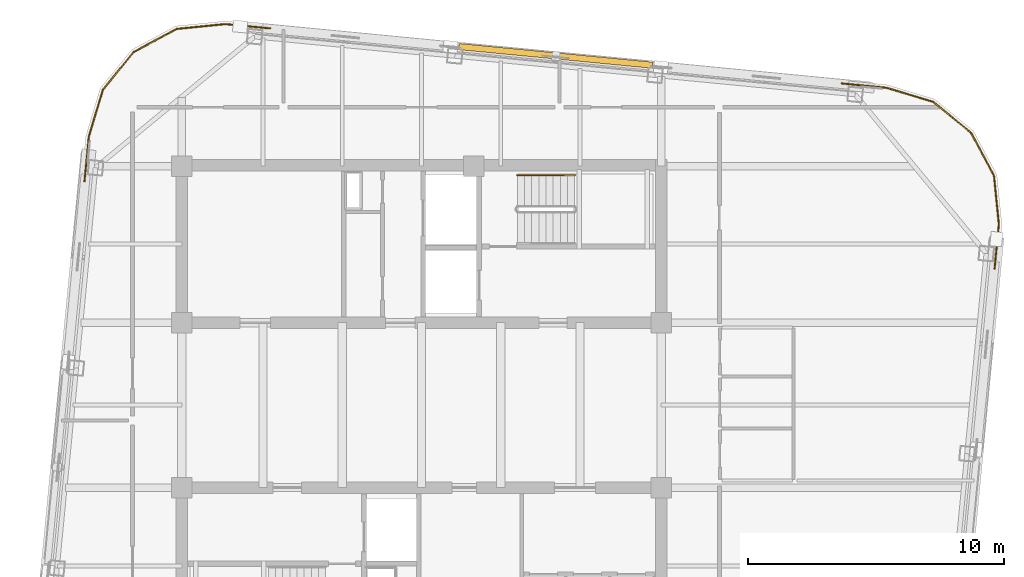
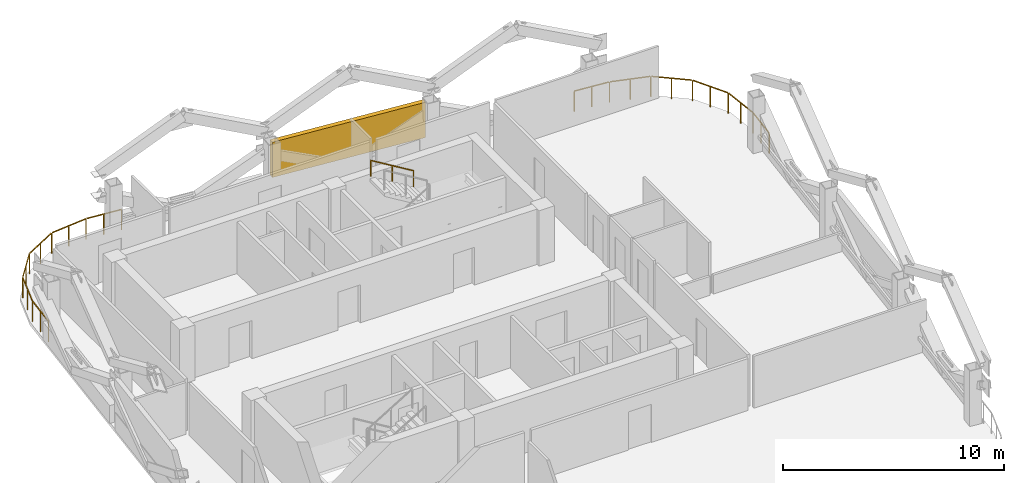
# One storey, part 10 of 10: 3 railings, 1 shading device.
"""IFC4 building model written with IfcOpenShell, lengths in metres."""

import ifcopenshell
import ifcopenshell.guid

model = None  # the IFC model being written
_history = None  # IfcOwnerHistory: only IFC2X3 demands one
_inside = {}  # id of a spatial element -> (the spatial element, [elements in it])
_under = {}  # id of a project, library or spatial element -> (it, [spatial elements below it])
_declared = {}  # id of a project -> (the project, [libraries it declares])
_typed = {}  # id of a type object -> (the type object, [elements of that type])
_made_of = {}  # id of a material, layer set ... -> (it, [elements and type objects made of it])


def new_model(schema):
    """Start an empty IFC model of exactly this schema.

    Asked for "IFC4X3", IfcOpenShell would pick the latest addendum, in which some entities
    have other attributes; the version numbers below select the first issue.
    IFC2X3 requires an IfcOwnerHistory on every rooted entity: one is made here for all.
    """
    global model, _history
    if schema == "IFC4X3":
        model = ifcopenshell.file(schema_version=(4, 3, 0, 0))
    else:
        model = ifcopenshell.file(schema=schema)
    _inside.clear()
    _under.clear()
    _declared.clear()
    _typed.clear()
    _made_of.clear()
    _history = None
    if model.schema == "IFC2X3":
        org = make("IfcOrganization", Name="unknown")
        user = make(
            "IfcPersonAndOrganization",
            ThePerson=make("IfcPerson", FamilyName="unknown"),
            TheOrganization=org,
        )
        app = make(
            "IfcApplication",
            ApplicationDeveloper=org,
            Version="unknown",
            ApplicationFullName="unknown",
            ApplicationIdentifier="unknown",
        )
        _history = make(
            "IfcOwnerHistory",
            OwningUser=user,
            OwningApplication=app,
            ChangeAction="ADDED",
            CreationDate=0,
        )
    return model


def make(cls, **values):
    """One entity of the class cls with the attributes given. An attribute that is None is left unset."""
    return model.create_entity(
        cls, **{name: value for name, value in values.items() if value is not None}
    )


def rooted(cls, **values):
    """An entity with a GlobalId (a new one), such as an element, a storey or a relation."""
    return make(cls, GlobalId=ifcopenshell.guid.new(), OwnerHistory=_history, **values)


def si_unit(unit_type, name, prefix=None):
    """IfcSIUnit, for example si_unit("LENGTHUNIT", "METRE", prefix="MILLI")."""
    return make("IfcSIUnit", UnitType=unit_type, Prefix=prefix, Name=name)


def assignment(units):
    """IfcUnitAssignment: the units of a project."""
    return None if units is None else make("IfcUnitAssignment", Units=units)


def point(xyz):
    """IfcCartesianPoint."""
    return None if xyz is None else make("IfcCartesianPoint", Coordinates=xyz)


def direction(xyz):
    """IfcDirection."""
    return None if xyz is None else make("IfcDirection", DirectionRatios=xyz)


def frame(location, z_axis=None, x_axis=None):
    """IfcAxis2Placement3D, a coordinate frame: its origin and axes. An axis left out is left unset."""
    return make(
        "IfcAxis2Placement3D",
        Location=point(location),
        Axis=direction(z_axis),
        RefDirection=direction(x_axis),
    )


def frame_2d(location, x_axis=None):
    """IfcAxis2Placement2D, a coordinate frame in the plane: its origin and x axis."""
    return make(
        "IfcAxis2Placement2D", Location=point(location), RefDirection=direction(x_axis)
    )


def origin():
    """The frame at (0, 0, 0) with its axes left unset."""
    return frame((0.0, 0.0, 0.0))


def origin_2d():
    """The frame at (0, 0) in the plane with its x axis left unset."""
    return frame_2d((0.0, 0.0))


def place(relative_to, where):
    """IfcLocalPlacement: puts the frame where relative to a parent placement (None: the world)."""
    return make(
        "IfcLocalPlacement", PlacementRelTo=relative_to, RelativePlacement=where
    )


def context(
    kind, dimensions, precision=None, world=None, true_north=None, identifier=None
):
    """IfcGeometricRepresentationContext, for example the 3D "Model" context."""
    return make(
        "IfcGeometricRepresentationContext",
        ContextIdentifier=identifier,
        ContextType=kind,
        CoordinateSpaceDimension=dimensions,
        Precision=precision,
        WorldCoordinateSystem=world,
        TrueNorth=true_north,
    )


def subcontext(parent, identifier, kind, view, scale=None):
    """IfcGeometricRepresentationSubContext, for example "Body" below "Model"."""
    return make(
        "IfcGeometricRepresentationSubContext",
        ContextIdentifier=identifier,
        ContextType=kind,
        ParentContext=parent,
        TargetScale=scale,
        TargetView=view,
    )


def project(units=None, contexts=None):
    """IfcProject with its units and contexts."""
    return rooted(
        "IfcProject",
        Name="project",
        RepresentationContexts=contexts,
        UnitsInContext=assignment(units),
    )


def spatial(cls, under=None, at=None, **own):
    """A site, building, storey or space (cls), placed at a placement, below another one or the project."""
    s = rooted(cls, ObjectPlacement=at, **own)
    if under is not None:
        _under.setdefault(under.id(), (under, []))[1].append(s)
    return s


def profile(cls, at=None, kind="AREA", **sizes):
    """A parametric profile (cls). Its sizes go by their IFC names, for example OverallWidth=200.0."""
    return make(cls, ProfileType=kind, Position=at, **sizes)


def rectangle(**sizes):
    """IfcRectangleProfileDef."""
    return profile("IfcRectangleProfileDef", **sizes)


def extrude(swept, where, along, depth):
    """IfcExtrudedAreaSolid: the profile swept, set in the frame where, extruded along a direction by depth."""
    return make(
        "IfcExtrudedAreaSolid",
        SweptArea=swept,
        Position=where,
        ExtrudedDirection=direction(along),
        Depth=depth,
    )


def shape(context_of_items, identifier, shape_type, items):
    """IfcShapeRepresentation: the items that make up one representation, for example the "Body"."""
    return make(
        "IfcShapeRepresentation",
        ContextOfItems=context_of_items,
        RepresentationIdentifier=identifier,
        RepresentationType=shape_type,
        Items=items,
    )


def material(Name=None, Category=None):
    """IfcMaterial."""
    return make("IfcMaterial", Name=Name, Category=Category)


def made_of(thing, what):
    """Note that an element or type object is made of a material, layer set ...; save() writes the relation."""
    if what is not None:
        _made_of.setdefault(what.id(), (what, []))[1].append(thing)
    return thing


def type_object(cls, material=None, **own):
    """A type object (cls), such as IfcWallType, which elements share."""
    return made_of(rooted(cls, **own), material)


def element(
    cls,
    number,
    at=None,
    inside=None,
    cuts=None,
    type_object=None,
    material=None,
    context=None,
    identifier="Body",
    shape_type=None,
    held_by="IfcProductDefinitionShape",
    body=None,
    shapes=None,
    **own,
):
    """One element of the class cls, such as IfcWall. Its Tag is "e" and its number.

    at: its placement. inside: the storey or other place that contains it. cuts: it is an
    opening in that element (IfcRelVoidsElement). A single representation is given by context,
    identifier, shape_type and body (its items); several are given by shapes. held_by: the class
    of the entity that holds the representations. save() writes the other relations.
    """
    e = rooted(cls, Tag="e%d" % number, ObjectPlacement=at, **own)
    if body is not None:
        shapes = [shape(context, identifier, shape_type, body)]
    if shapes is not None:
        e.Representation = make(held_by, Representations=shapes)
    if inside is not None:
        _inside.setdefault(inside.id(), (inside, []))[1].append(e)
    if cuts is not None:
        rooted(
            "IfcRelVoidsElement", RelatingBuildingElement=cuts, RelatedOpeningElement=e
        )
    if type_object is not None:
        _typed.setdefault(type_object.id(), (type_object, []))[1].append(e)
    return made_of(e, material)


def aggregate(whole, parts):
    """IfcRelAggregates: a whole, such as a stair, and the parts it consists of."""
    return rooted("IfcRelAggregates", RelatingObject=whole, RelatedObjects=parts)


def save(model, path):
    """Write the relations noted so far, then the file.

    IfcRelAggregates (storeys below a building ...), IfcRelContainedInSpatialStructure (elements
    in a storey), IfcRelDefinesByType, IfcRelAssociatesMaterial and IfcRelDeclares: one each for
    every whole, place, type object, material and project.
    """
    for whole, parts in _under.values():
        aggregate(whole, parts)
    for where, things in _inside.values():
        rooted(
            "IfcRelContainedInSpatialStructure",
            RelatedElements=things,
            RelatingStructure=where,
        )
    for kind, things in _typed.values():
        rooted("IfcRelDefinesByType", RelatedObjects=things, RelatingType=kind)
    for what, things in _made_of.values():
        rooted("IfcRelAssociatesMaterial", RelatedObjects=things, RelatingMaterial=what)
    for by, libraries in _declared.values():
        rooted("IfcRelDeclares", RelatingContext=by, RelatedDefinitions=libraries)
    model.write(path)


model = new_model("IFC4")

# Units and contexts
model_context = context("Model", 3, precision=1e-05, world=origin(), true_north=direction((0.0, 1.0)))
body_context = subcontext(model_context, "Body", "Model", "MODEL_VIEW")
ifc_project = project(units=[si_unit("LENGTHUNIT", "METRE"), si_unit("AREAUNIT", "SQUARE_METRE"), si_unit("VOLUMEUNIT", "CUBIC_METRE"), si_unit("PLANEANGLEUNIT", "RADIAN"), si_unit("MASSUNIT", "GRAM", prefix="KILO")], contexts=[model_context])

# Site, building, storey
site_placement = place(None, origin())
site = spatial("IfcSite", under=ifc_project, at=site_placement, CompositionType="ELEMENT")
building_placement = place(site_placement, origin())
building = spatial("IfcBuilding", under=site, at=building_placement, Name="Qhalaya Broadcast Tower", CompositionType="ELEMENT")
storey_placement = place(building_placement, frame((0.0, 0.0, 267.25)))
storey = spatial("IfcBuildingStorey", under=building, at=storey_placement, Name="L79", CompositionType="ELEMENT", Elevation=267.25)

# Railings
ifc_material_1 = material(Name="Powder-Coated Galvanised Steel", Category="steel")
railing_type_1 = type_object("IfcRailingType", Name="Stair Wall Handrail 900", PredefinedType="HANDRAIL", material=ifc_material_1)
railing_1_placement = place(storey_placement, frame((5.989990234375, 9.590087890625, 1.6943359375)))
element("IfcRailing", 1, at=railing_1_placement, inside=storey, type_object=railing_type_1, Name="L79 ST-1 Stair Handrail 2", PredefinedType="HANDRAIL", context=body_context, shape_type="SweptSolid", body=[
    extrude(rectangle(XDim=0.048095703125, YDim=0.048095703125, at=origin_2d()), frame((0.0, 0.0, 0.8759765625), z_axis=(-0.855512035549, 0.0, 0.517782924622), x_axis=(0.0, -1.0, 0.0)), (0.0, 0.0, 1.0), 2.618408203125),
    extrude(rectangle(XDim=0.0419921875, YDim=0.0419921875, at=origin_2d()), origin(), (0.0, 0.0, 1.0), 0.849853515625),
    extrude(rectangle(XDim=0.0419921875, YDim=0.0419921875, at=origin_2d()), frame((-1.1201171875, 0.0, 0.677734375)), (0.0, 0.0, 1.0), 0.849853515625),
    extrude(rectangle(XDim=0.0419921875, YDim=0.0419921875, at=origin_2d()), frame((-2.239990234375, 0.0, 1.355712890625)), (0.0, 0.0, 1.0), 0.849853515625),
])
railing_type_2 = type_object("IfcRailingType", Name="Terrace, Sky-Pool & Lookout Glass Balustrade 1150", PredefinedType="BALUSTRADE", material=ifc_material_1)
railing_2_placement = place(storey_placement, frame((-13.18115234375, 9.35400390625, 0.0)))
element("IfcRailing", 2, at=railing_2_placement, inside=storey, type_object=railing_type_2, Name="L79 Rounded Corner Perimeter Guard 03", PredefinedType="BALUSTRADE", context=body_context, shape_type="SweptSolid", body=[
    extrude(rectangle(XDim=0.048095703125, YDim=0.048095703125, at=origin_2d()), frame((0.0, 0.0, 1.1259765625), z_axis=(0.095924323257, 0.995388629736, 0.0), x_axis=(-0.995388629736, 0.095924323257, 0.0)), (0.0, 0.0, 1.0), 1.727294921875),
    extrude(rectangle(XDim=0.048095703125, YDim=0.048095703125, at=origin_2d()), frame((0.1767578125, 1.775634765625, 1.1259765625), z_axis=(0.288096282124, 0.957601447485, 0.0), x_axis=(-0.957601447485, 0.288096282124, 0.0)), (0.0, 0.0, 1.0), 1.857421875),
    extrude(rectangle(XDim=0.048095703125, YDim=0.048095703125, at=origin_2d()), frame((0.738525390625, 3.6044921875, 1.1259765625), z_axis=(0.63274871945, 0.774357190213, 0.0), x_axis=(-0.774357190213, 0.63274871945, 0.0)), (0.0, 0.0, 1.0), 1.845703125),
    extrude(rectangle(XDim=0.048095703125, YDim=0.048095703125, at=origin_2d()), frame((1.949951171875, 5.069580078125, 1.1259765625), z_axis=(0.880878554058, 0.473342342286, 0.0), x_axis=(-0.473342342286, 0.880878554058, 0.0)), (0.0, 0.0, 1.0), 1.845458984375),
    extrude(rectangle(XDim=0.048095703125, YDim=0.048095703125, at=origin_2d()), frame((3.6298828125, 5.959716796875, 1.1259765625), z_axis=(0.994980230152, 0.100071682341, 0.0), x_axis=(-0.100071682341, 0.994980230152, 0.0)), (0.0, 0.0, 1.0), 1.857421875),
    extrude(rectangle(XDim=0.048095703125, YDim=0.048095703125, at=origin_2d()), frame((5.535400390625, 6.145751953125, 1.1259765625), z_axis=(0.99540189436, -0.09578657894, 0.0), x_axis=(0.09578657894, 0.99540189436, 0.0)), (0.0, 0.0, 1.0), 1.727294921875),
    extrude(rectangle(XDim=0.0419921875, YDim=0.0419921875, at=origin_2d()), origin(), (0.0, 0.0, 1.0), 1.099853515625),
    extrude(rectangle(XDim=0.0419921875, YDim=0.0419921875, at=origin_2d()), frame((0.084228515625, 0.8740234375, 0.0)), (0.0, 0.0, 1.0), 1.099853515625),
    extrude(rectangle(XDim=0.0419921875, YDim=0.0419921875, at=origin_2d()), frame((0.16845703125, 1.748046875, 0.0)), (0.0, 0.0, 1.0), 1.099853515625),
    extrude(rectangle(XDim=0.0419921875, YDim=0.0419921875, at=origin_2d()), frame((0.4443359375, 2.6650390625, 0.0)), (0.0, 0.0, 1.0), 1.099853515625),
    extrude(rectangle(XDim=0.0419921875, YDim=0.0419921875, at=origin_2d()), frame((0.72021484375, 3.58203125, 0.0)), (0.0, 0.0, 1.0), 1.099853515625),
    extrude(rectangle(XDim=0.0419921875, YDim=0.0419921875, at=origin_2d()), frame((1.322265625, 4.31884765625, 0.0)), (0.0, 0.0, 1.0), 1.099853515625),
    extrude(rectangle(XDim=0.0419921875, YDim=0.0419921875, at=origin_2d()), frame((1.924560546875, 5.055908203125, 0.0)), (0.0, 0.0, 1.0), 1.099853515625),
    extrude(rectangle(XDim=0.0419921875, YDim=0.0419921875, at=origin_2d()), frame((2.7626953125, 5.50634765625, 0.0)), (0.0, 0.0, 1.0), 1.099853515625),
    extrude(rectangle(XDim=0.0419921875, YDim=0.0419921875, at=origin_2d()), frame((3.60107421875, 5.956787109375, 0.0)), (0.0, 0.0, 1.0), 1.099853515625),
    extrude(rectangle(XDim=0.0419921875, YDim=0.0419921875, at=origin_2d()), frame((4.5537109375, 6.052734375, 0.0)), (0.0, 0.0, 1.0), 1.099853515625),
    extrude(rectangle(XDim=0.0419921875, YDim=0.0419921875, at=origin_2d()), frame((5.506591796875, 6.1484375, 0.0)), (0.0, 0.0, 1.0), 1.099853515625),
    extrude(rectangle(XDim=0.0419921875, YDim=0.0419921875, at=origin_2d()), frame((6.380615234375, 6.064453125, 0.0)), (0.0, 0.0, 1.0), 1.099853515625),
    extrude(rectangle(XDim=0.0419921875, YDim=0.0419921875, at=origin_2d()), frame((7.254638671875, 5.980224609375, 0.0)), (0.0, 0.0, 1.0), 1.099853515625),
])
railing_3_placement = place(storey_placement, frame((16.43408203125, 13.18115234375, 0.0)))
element("IfcRailing", 3, at=railing_3_placement, inside=storey, type_object=railing_type_2, Name="L79 Rounded Corner Perimeter Guard 04", PredefinedType="BALUSTRADE", context=body_context, shape_type="SweptSolid", body=[
    extrude(rectangle(XDim=0.048095703125, YDim=0.048095703125, at=origin_2d()), frame((0.0, 0.0, 1.1259765625), z_axis=(0.995388629736, -0.095924323257, 0.0), x_axis=(0.095924323257, 0.995388629736, 0.0)), (0.0, 0.0, 1.0), 1.727294921875),
    extrude(rectangle(XDim=0.048095703125, YDim=0.048095703125, at=origin_2d()), frame((1.775634765625, -0.1767578125, 1.1259765625), z_axis=(0.957601447485, -0.288096282124, 0.0), x_axis=(0.288096282124, 0.957601447485, 0.0)), (0.0, 0.0, 1.0), 1.857421875),
    extrude(rectangle(XDim=0.048095703125, YDim=0.048095703125, at=origin_2d()), frame((3.6044921875, -0.738525390625, 1.1259765625), z_axis=(0.774357190213, -0.63274871945, 0.0), x_axis=(0.63274871945, 0.774357190213, 0.0)), (0.0, 0.0, 1.0), 1.845703125),
    extrude(rectangle(XDim=0.048095703125, YDim=0.048095703125, at=origin_2d()), frame((5.069580078125, -1.949951171875, 1.1259765625), z_axis=(0.473242797018, -0.880932037714, 0.0), x_axis=(0.880932037714, 0.473242797018, 0.0)), (0.0, 0.0, 1.0), 1.845458984375),
    extrude(rectangle(XDim=0.048095703125, YDim=0.048095703125, at=origin_2d()), frame((5.95947265625, -3.6298828125, 1.1259765625), z_axis=(0.100197883148, -0.994967529225, 0.0), x_axis=(0.994967529225, 0.100197883148, 0.0)), (0.0, 0.0, 1.0), 1.857421875),
    extrude(rectangle(XDim=0.048095703125, YDim=0.048095703125, at=origin_2d()), frame((6.145751953125, -5.535400390625, 1.1259765625), z_axis=(-0.09578657894, -0.99540189436, 0.0), x_axis=(0.99540189436, -0.09578657894, 0.0)), (0.0, 0.0, 1.0), 1.727294921875),
    extrude(rectangle(XDim=0.0419921875, YDim=0.0419921875, at=origin_2d()), origin(), (0.0, 0.0, 1.0), 1.099853515625),
    extrude(rectangle(XDim=0.0419921875, YDim=0.0419921875, at=origin_2d()), frame((0.8740234375, -0.084228515625, 0.0)), (0.0, 0.0, 1.0), 1.099853515625),
    extrude(rectangle(XDim=0.0419921875, YDim=0.0419921875, at=origin_2d()), frame((1.748046875, -0.16845703125, 0.0)), (0.0, 0.0, 1.0), 1.099853515625),
    extrude(rectangle(XDim=0.0419921875, YDim=0.0419921875, at=origin_2d()), frame((2.6650390625, -0.4443359375, 0.0)), (0.0, 0.0, 1.0), 1.099853515625),
    extrude(rectangle(XDim=0.0419921875, YDim=0.0419921875, at=origin_2d()), frame((3.58203125, -0.72021484375, 0.0)), (0.0, 0.0, 1.0), 1.099853515625),
    extrude(rectangle(XDim=0.0419921875, YDim=0.0419921875, at=origin_2d()), frame((4.31884765625, -1.322265625, 0.0)), (0.0, 0.0, 1.0), 1.099853515625),
    extrude(rectangle(XDim=0.0419921875, YDim=0.0419921875, at=origin_2d()), frame((5.055908203125, -1.924560546875, 0.0)), (0.0, 0.0, 1.0), 1.099853515625),
    extrude(rectangle(XDim=0.0419921875, YDim=0.0419921875, at=origin_2d()), frame((5.50634765625, -2.7626953125, 0.0)), (0.0, 0.0, 1.0), 1.099853515625),
    extrude(rectangle(XDim=0.0419921875, YDim=0.0419921875, at=origin_2d()), frame((5.95654296875, -3.60107421875, 0.0)), (0.0, 0.0, 1.0), 1.099853515625),
    extrude(rectangle(XDim=0.0419921875, YDim=0.0419921875, at=origin_2d()), frame((6.052490234375, -4.5537109375, 0.0)), (0.0, 0.0, 1.0), 1.099853515625),
    extrude(rectangle(XDim=0.0419921875, YDim=0.0419921875, at=origin_2d()), frame((6.1484375, -5.506591796875, 0.0)), (0.0, 0.0, 1.0), 1.099853515625),
    extrude(rectangle(XDim=0.0419921875, YDim=0.0419921875, at=origin_2d()), frame((6.064453125, -6.380615234375, 0.0)), (0.0, 0.0, 1.0), 1.099853515625),
    extrude(rectangle(XDim=0.0419921875, YDim=0.0419921875, at=origin_2d()), frame((5.980224609375, -7.254638671875, 0.0)), (0.0, 0.0, 1.0), 1.099853515625),
])

# Shading device
ifc_material_2 = material(Name="Fired Architectural Terracotta", Category="masonry")
shading_device_type = type_object("IfcShadingDeviceType", Name="Terracotta Baguette Solar Screen Assembly TBS-01", PredefinedType="USERDEFINED", material=ifc_material_2)
shading_device_placement = place(storey_placement, frame((5.25390625, 14.2578125, 0.80078125), z_axis=(0.0, 0.0, 1.0), x_axis=(-0.995396198367, 0.09584575252, 0.0)))
element("IfcShadingDevice", 4, at=shading_device_placement, inside=storey, type_object=shading_device_type, Name="L79 Fired Terracotta Baguette Screen N", ObjectType="BAGUETTE", PredefinedType="USERDEFINED", context=body_context, shape_type="SweptSolid", body=[
    extrude(rectangle(XDim=7.60009765625, YDim=0.239990234375, at=origin_2d()), origin(), (0.0, 0.0, 1.0), 1.945068359375),
])

save(model, "model.ifc")
